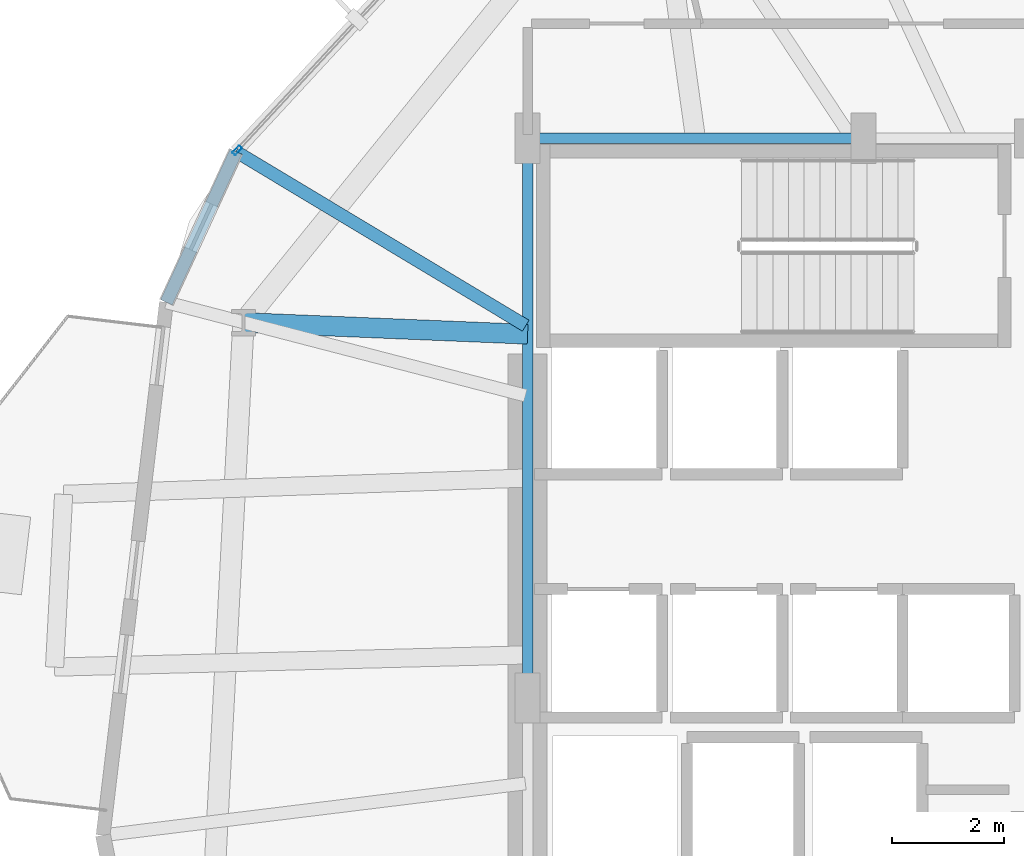
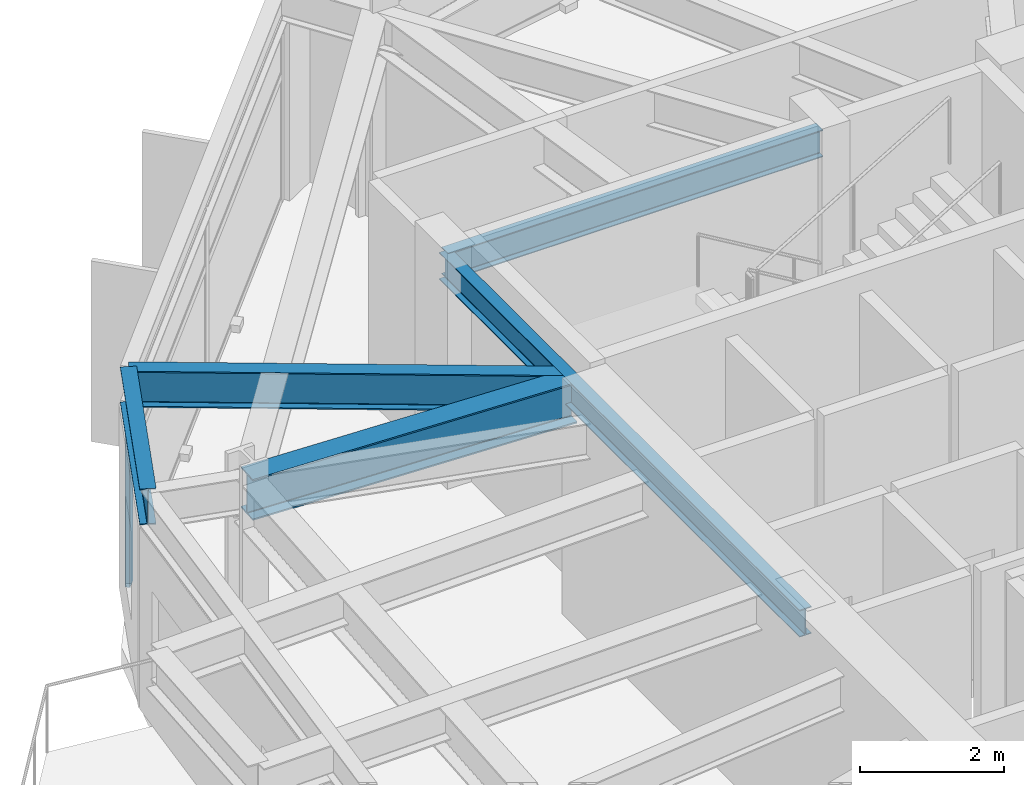
# One storey, part 7 of 22: 5 beams, 1 member, 1 element without a shape of its own.
"""IFC4 building model written with IfcOpenShell, lengths in metres."""

from ifc_helpers import new_model, si_unit, direction, frame, origin, origin_2d, place, context, subcontext, project, spatial, hollow_rectangle, i_section, extrude, material, layer, layer_set, material_profile, profile_set, type_object, element, aggregate, save


model = new_model("IFC4")

# Units and contexts
model_context = context("Model", 3, precision=1e-05, world=origin(), true_north=direction((0.0, 1.0)))
body_context = subcontext(model_context, "Body", "Model", "MODEL_VIEW")
ifc_project = project(units=[si_unit("LENGTHUNIT", "METRE"), si_unit("AREAUNIT", "SQUARE_METRE"), si_unit("VOLUMEUNIT", "CUBIC_METRE"), si_unit("PLANEANGLEUNIT", "RADIAN"), si_unit("MASSUNIT", "GRAM", prefix="KILO")], contexts=[model_context])

# Site, building, storey
site_placement = place(None, origin())
site = spatial("IfcSite", under=ifc_project, at=site_placement, CompositionType="ELEMENT")
building_placement = place(site_placement, origin())
building = spatial("IfcBuilding", under=site, at=building_placement, Name="Soratama Intermodal Tower", CompositionType="ELEMENT")
storey_placement = place(building_placement, frame((0.0, 0.0, 70.60009765625)))
storey = spatial("IfcBuildingStorey", under=building, at=storey_placement, Name="L16", CompositionType="ELEMENT", Elevation=70.60009765625)

# Beams
ifc_material_1 = material(Name="Structural steel ASTM A992 Grade 50", Category="steel")
ifc_material_profile_1 = material_profile(ifc_material_1, i_section(OverallWidth=0.19091796875, OverallDepth=0.4599609375, WebThickness=0.010009765625, FlangeThickness=0.01611328125, FilletRadius=0.010986328125, at=origin_2d()), Name="W18X55")
ifc_profile_set_1 = profile_set([ifc_material_profile_1], Name="Structural steel ASTM A992 Grade 50")
beam_type_1 = type_object("IfcBeamType", Name="BM-FLR-W18X55", PredefinedType="BEAM", material=ifc_profile_set_1)
beam_1_placement = place(storey_placement, frame((38.60009765625, 35.0, 3.469970703125), z_axis=(-1.0, 0.0, 0.0), x_axis=(0.0, -1.0, 0.0)))
element("IfcBeam", 1, at=beam_1_placement, inside=storey, type_object=beam_type_1, Name="BM-L16-CRING-07", PredefinedType="BEAM", context=body_context, shape_type="SweptSolid", body=[
    extrude(i_section(OverallWidth=0.19091796875, OverallDepth=0.4599609375, WebThickness=0.010009765625, FlangeThickness=0.01611328125, FilletRadius=0.010986328125, at=origin_2d()), origin(), (0.0, 0.0, 1.0), 6.0),
])
beam_2_placement = place(storey_placement, frame((32.60009765625, 35.0, 3.469970703125), z_axis=(0.0, -1.0, 0.0), x_axis=(1.0, 0.0, 0.0)))
element("IfcBeam", 2, at=beam_2_placement, inside=storey, type_object=beam_type_1, Name="BM-L16-CRING-08", PredefinedType="BEAM", context=body_context, shape_type="SweptSolid", body=[
    extrude(i_section(OverallWidth=0.19091796875, OverallDepth=0.4599609375, WebThickness=0.010009765625, FlangeThickness=0.01611328125, FilletRadius=0.010986328125, at=origin_2d()), origin(), (0.0, 0.0, 1.0), 10.0),
])
ifc_material_2 = material(Name="Structural steel ASTM A992 Grade 50", Category="steel")
ifc_material_profile_2 = material_profile(ifc_material_2, i_section(OverallWidth=0.35498046875, OverallDepth=0.695068359375, WebThickness=0.015380859375, FlangeThickness=0.02490234375, FilletRadius=0.01611328125, at=origin_2d()), Name="W27X146")
ifc_profile_set_2 = profile_set([ifc_material_profile_2], Name="Structural steel ASTM A992 Grade 50")
beam_type_2 = type_object("IfcBeamType", Name="BM-RING-W27X146", PredefinedType="BEAM", material=ifc_profile_set_2)
beam_3_placement = place(storey_placement, frame((32.60009765625, 31.5, 3.352294921875), z_axis=(-0.999153929645, 0.041126936131, 0.0), x_axis=(-0.041126936131, -0.999153929645, 0.0)))
element("IfcBeam", 3, at=beam_3_placement, inside=storey, type_object=beam_type_2, Name="BM-L16-RAD-05", PredefinedType="BEAM", context=body_context, shape_type="SweptSolid", body=[
    extrude(i_section(OverallWidth=0.35498046875, OverallDepth=0.695068359375, WebThickness=0.015380859375, FlangeThickness=0.02490234375, FilletRadius=0.01611328125, at=origin_2d()), origin(), (0.0, 0.0, 1.0), 5.08154296875),
])
ifc_material_3 = material(Name="Structural steel ASTM A992 Grade 50", Category="steel")
ifc_material_profile_3 = material_profile(ifc_material_3, i_section(OverallWidth=0.22900390625, OverallDepth=0.612060546875, WebThickness=0.011962890625, FlangeThickness=0.01953125, FilletRadius=0.012939453125, at=origin_2d()), Name="W24X84")
ifc_profile_set_3 = profile_set([ifc_material_profile_3], Name="Structural steel ASTM A992 Grade 50")
beam_type_3 = type_object("IfcBeamType", Name="BM-SPN-W24X84", PredefinedType="SPANDREL", material=ifc_profile_set_3)
beam_4_placement = place(storey_placement, frame((27.388916015625, 34.763916015625, 3.393798828125), z_axis=(-0.418948585547, -0.908009957362, 0.0), x_axis=(0.908009957362, -0.418948585547, 0.0)))
element("IfcBeam", 4, at=beam_4_placement, inside=storey, type_object=beam_type_3, Name="BS-L16-CRN04", PredefinedType="SPANDREL", context=body_context, shape_type="SweptSolid", body=[
    extrude(i_section(OverallWidth=0.22900390625, OverallDepth=0.612060546875, WebThickness=0.011962890625, FlangeThickness=0.01953125, FilletRadius=0.012939453125, at=origin_2d()), origin(), (0.0, 0.0, 1.0), 2.966796875),
])
ifc_material_4 = material(Name="Structural steel ASTM A992 Grade 50", Category="steel")
ifc_material_profile_4 = material_profile(ifc_material_4, i_section(OverallWidth=0.22900390625, OverallDepth=0.612060546875, WebThickness=0.011962890625, FlangeThickness=0.01953125, FilletRadius=0.012939453125, at=origin_2d()), Name="W24X84")
ifc_profile_set_4 = profile_set([ifc_material_profile_4], Name="Structural steel ASTM A992 Grade 50")
beam_type_4 = type_object("IfcBeamType", Name="BM-TIE-W24X84", PredefinedType="BEAM", material=ifc_profile_set_4)
beam_5_placement = place(storey_placement, frame((32.56591796875, 31.653076171875, 3.393798828125), z_axis=(-0.857153906153, 0.515060366527, 0.0), x_axis=(-0.515060366527, -0.857153906153, 0.0)))
element("IfcBeam", 5, at=beam_5_placement, inside=storey, type_object=beam_type_4, Name="BM-L16-TIE1-04", PredefinedType="BEAM", context=body_context, shape_type="SweptSolid", body=[
    extrude(i_section(OverallWidth=0.22900390625, OverallDepth=0.612060546875, WebThickness=0.011962890625, FlangeThickness=0.01953125, FilletRadius=0.012939453125, at=origin_2d()), origin(), (0.0, 0.0, 1.0), 6.039794921875),
])

# Curtain wall, member
ifc_material_5 = material(Name="Double-glazed aluminium curtain wall", Category="aluminium")
ifc_layer = layer(ifc_material_5, 0.159912109375)
ifc_layer_set = layer_set([ifc_layer], Name="Double-glazed aluminium curtain wall")
curtain_wall_type = type_object("IfcCurtainWallType", Name="CW-SYS-2", PredefinedType="NOTDEFINED", material=ifc_layer_set)
curtain_wall_placement = place(storey_placement, origin())
curtain_wall = element("IfcCurtainWall", 6, at=curtain_wall_placement, inside=storey, type_object=curtain_wall_type, Name="L16 Faceted Curtain Wall F04", PredefinedType="NOTDEFINED")
ifc_material_6 = material(Name="Anodised aluminium AA 6063-T6", Category="aluminium")
ifc_material_profile_5 = material_profile(ifc_material_6, hollow_rectangle(XDim=0.074951171875, YDim=0.179931640625, WallThickness=0.006103515625, InnerFilletRadius=0.006103515625, OuterFilletRadius=0.011962890625, at=origin_2d()), Name="CWM180X75X6")
ifc_profile_set_5 = profile_set([ifc_material_profile_5], Name="Anodised aluminium AA 6063-T6")
member_type = type_object("IfcMemberType", Name="MT-CWM-2", PredefinedType="MULLION", material=ifc_profile_set_5)
member_placement = place(storey_placement, frame((27.40966796875, 34.78564453125, 0.0), z_axis=(0.0, 0.0, 1.0), x_axis=(0.733964923703, -0.679187375305, 0.0)))
member = element("IfcMember", 7, at=member_placement, type_object=member_type, Name="CW-2 mullion 3", PredefinedType="MULLION", context=body_context, shape_type="SweptSolid", body=[
    extrude(hollow_rectangle(XDim=0.074951171875, YDim=0.179931640625, WallThickness=0.006103515625, InnerFilletRadius=0.006103515625, OuterFilletRadius=0.011962890625, at=origin_2d()), origin(), (0.0, 0.0, 1.0), 3.078857421875),
])
aggregate(curtain_wall, [member])

save(model, "model.ifc")
